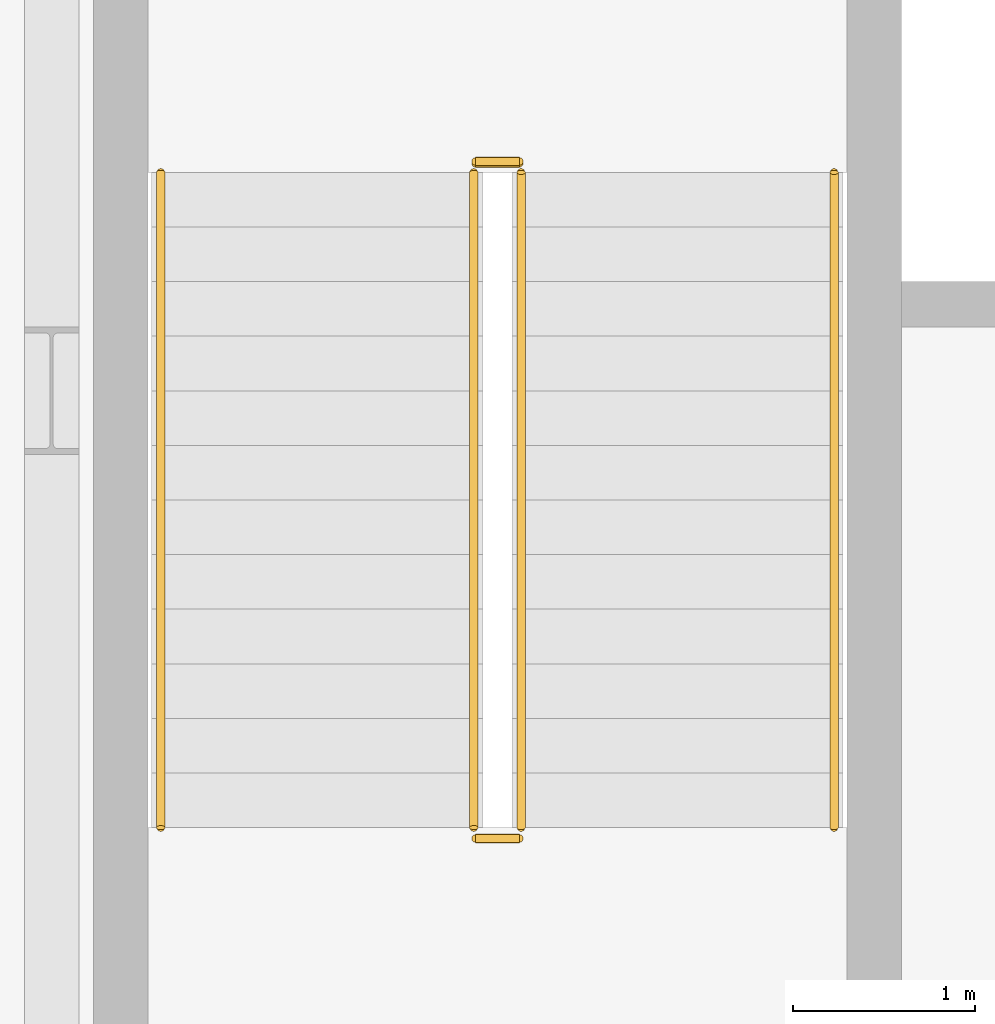
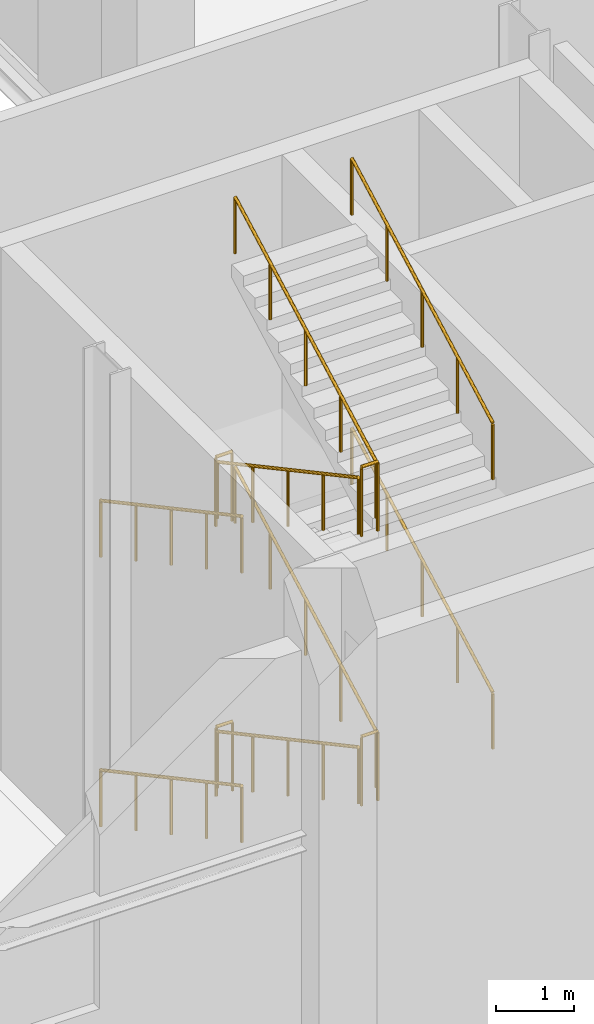
# One storey, part 123 of 131: 12 railings.
"""IFC4 building model written with IfcOpenShell, lengths in metres."""

from ifc_helpers import new_model, si_unit, direction, frame, origin, origin_2d, place, context, subcontext, project, spatial, circle, extrude, material, type_object, element, save


model = new_model("IFC4")

# Units and contexts
model_context = context("Model", 3, precision=1e-05, world=origin(), true_north=direction((0.0, 1.0)))
body_context = subcontext(model_context, "Body", "Model", "MODEL_VIEW")
ifc_project = project(units=[si_unit("LENGTHUNIT", "METRE"), si_unit("AREAUNIT", "SQUARE_METRE"), si_unit("VOLUMEUNIT", "CUBIC_METRE"), si_unit("PLANEANGLEUNIT", "RADIAN"), si_unit("MASSUNIT", "GRAM", prefix="KILO")], contexts=[model_context])

# Site, building, storey
site_placement = place(None, origin())
site = spatial("IfcSite", under=ifc_project, at=site_placement, CompositionType="ELEMENT")
building_placement = place(site_placement, origin())
building = spatial("IfcBuilding", under=site, at=building_placement, Name="Veltarok Museum of Natural Sciences", CompositionType="ELEMENT")
storey_placement = place(building_placement, origin())
storey = spatial("IfcBuildingStorey", under=building, at=storey_placement, Name="L00", CompositionType="ELEMENT", Elevation=0.0)

# Railings
ifc_material = material(Name="Steel S355J2", Category="steel")
railing_type_1 = type_object("IfcRailingType", Name="Interior Atrium and Stairwell Guardrail 1100", PredefinedType="GUARDRAIL", material=ifc_material)
for number, where, name in (
    (1, (33.929931640625, 6.949951171875, 0.0), "Stairwell Floor Guard ST-01 L00"),
    (2, (33.929931640625, 3.239990234375, 2.10009765625), "Landing Well Guard ST-01-L00-L1"),
    (3, (33.929931640625, 6.9599609375, 4.199951171875), "Landing Well Guard ST-01-L00-L2"),
    (4, (33.929931640625, 3.239990234375, 6.300048828125), "Landing Well Guard ST-01-L00-L3"),
):
    element("IfcRailing", number, at=place(storey_placement, frame(where)), inside=storey, type_object=railing_type_1, Name=name, PredefinedType="GUARDRAIL", context=body_context, shape_type="SweptSolid", body=[
        extrude(circle(Radius=0.02392578125, at=origin_2d()), frame((0.0, 0.0, 1.076171875), z_axis=(1.0, 0.0, 0.0), x_axis=(0.0, 1.0, 0.0)), (0.0, 0.0, 1.0), 0.239990234375),
        extrude(circle(Radius=0.02099609375, at=origin_2d()), origin(), (0.0, 0.0, 1.0), 1.052001953125),
        extrude(circle(Radius=0.02099609375, at=origin_2d()), frame((0.239990234375, 0.0, 0.0)), (0.0, 0.0, 1.0), 1.052001953125),
    ])
railing_type_2 = type_object("IfcRailingType", Name="Stair Flight Tubular Steel Handrail 900", PredefinedType="HANDRAIL", material=ifc_material)
for number, where, name in (
    (5, (32.199951171875, 6.89990234375, 0.16162109375), "Stair Handrail ST-01-L00-F1L"),
    (6, (33.919921875, 6.89990234375, 0.16162109375), "Stair Handrail ST-01-L00-F1R"),
):
    element("IfcRailing", number, at=place(storey_placement, frame(where)), inside=storey, type_object=railing_type_2, Name=name, PredefinedType="HANDRAIL", context=body_context, shape_type="SweptSolid", body=[
        extrude(circle(Radius=0.02392578125, at=origin_2d()), frame((0.0, 0.0, 0.8759765625), z_axis=(0.0, -0.880461512865, 0.474117627138), x_axis=(1.0, 0.0, 0.0)), (0.0, 0.0, 1.0), 4.088623046875),
        extrude(circle(Radius=0.02099609375, at=origin_2d()), origin(), (0.0, 0.0, 1.0), 0.851806640625),
        extrude(circle(Radius=0.02099609375, at=origin_2d()), frame((0.0, -0.89990234375, 0.484619140625)), (0.0, 0.0, 1.0), 0.851806640625),
        extrude(circle(Radius=0.02099609375, at=origin_2d()), frame((0.0, -1.7998046875, 0.96923828125)), (0.0, 0.0, 1.0), 0.851806640625),
        extrude(circle(Radius=0.02099609375, at=origin_2d()), frame((0.0, -2.699951171875, 1.453857421875)), (0.0, 0.0, 1.0), 0.851806640625),
        extrude(circle(Radius=0.02099609375, at=origin_2d()), frame((0.0, -3.599853515625, 1.9384765625)), (0.0, 0.0, 1.0), 0.851806640625),
    ])
for number, where, name in (
    (7, (34.179931640625, 3.300048828125, 2.261474609375), "Stair Handrail ST-01-L00-F2L"),
    (8, (35.89990234375, 3.300048828125, 2.261474609375), "Stair Handrail ST-01-L00-F2R"),
):
    element("IfcRailing", number, at=place(storey_placement, frame(where)), inside=storey, type_object=railing_type_2, Name=name, PredefinedType="HANDRAIL", context=body_context, shape_type="SweptSolid", body=[
        extrude(circle(Radius=0.02392578125, at=origin_2d()), frame((0.0, 0.0, 0.8759765625), z_axis=(0.0, 0.880461512865, 0.474117627138), x_axis=(-1.0, 0.0, 0.0)), (0.0, 0.0, 1.0), 4.088623046875),
        extrude(circle(Radius=0.02099609375, at=origin_2d()), origin(), (0.0, 0.0, 1.0), 0.851806640625),
        extrude(circle(Radius=0.02099609375, at=origin_2d()), frame((0.0, 0.89990234375, 0.484619140625)), (0.0, 0.0, 1.0), 0.851806640625),
        extrude(circle(Radius=0.02099609375, at=origin_2d()), frame((0.0, 1.7998046875, 0.96923828125)), (0.0, 0.0, 1.0), 0.851806640625),
        extrude(circle(Radius=0.02099609375, at=origin_2d()), frame((0.0, 2.699951171875, 1.453857421875)), (0.0, 0.0, 1.0), 0.851806640625),
        extrude(circle(Radius=0.02099609375, at=origin_2d()), frame((0.0, 3.599853515625, 1.9384765625)), (0.0, 0.0, 1.0), 0.851806640625),
    ])
for number, where, name in (
    (9, (32.199951171875, 6.89990234375, 4.361572265625), "Stair Handrail ST-01-L00-F3L"),
    (10, (33.919921875, 6.89990234375, 4.361572265625), "Stair Handrail ST-01-L00-F3R"),
):
    element("IfcRailing", number, at=place(storey_placement, frame(where)), inside=storey, type_object=railing_type_2, Name=name, PredefinedType="HANDRAIL", context=body_context, shape_type="SweptSolid", body=[
        extrude(circle(Radius=0.02392578125, at=origin_2d()), frame((0.0, 0.0, 0.8759765625), z_axis=(0.0, -0.880461512865, 0.474117627138), x_axis=(1.0, 0.0, 0.0)), (0.0, 0.0, 1.0), 4.088623046875),
        extrude(circle(Radius=0.02099609375, at=origin_2d()), origin(), (0.0, 0.0, 1.0), 0.851806640625),
        extrude(circle(Radius=0.02099609375, at=origin_2d()), frame((0.0, -0.89990234375, 0.484619140625)), (0.0, 0.0, 1.0), 0.851806640625),
        extrude(circle(Radius=0.02099609375, at=origin_2d()), frame((0.0, -1.7998046875, 0.96923828125)), (0.0, 0.0, 1.0), 0.851806640625),
        extrude(circle(Radius=0.02099609375, at=origin_2d()), frame((0.0, -2.699951171875, 1.453857421875)), (0.0, 0.0, 1.0), 0.851806640625),
        extrude(circle(Radius=0.02099609375, at=origin_2d()), frame((0.0, -3.599853515625, 1.9384765625)), (0.0, 0.0, 1.0), 0.851806640625),
    ])
for number, where, name in (
    (11, (34.179931640625, 3.300048828125, 6.46142578125), "Stair Handrail ST-01-L00-F4L"),
    (12, (35.89990234375, 3.300048828125, 6.46142578125), "Stair Handrail ST-01-L00-F4R"),
):
    element("IfcRailing", number, at=place(storey_placement, frame(where)), inside=storey, type_object=railing_type_2, Name=name, PredefinedType="HANDRAIL", context=body_context, shape_type="SweptSolid", body=[
        extrude(circle(Radius=0.02392578125, at=origin_2d()), frame((0.0, 0.0, 0.8759765625), z_axis=(0.0, 0.880461512865, 0.474117627138), x_axis=(-1.0, 0.0, 0.0)), (0.0, 0.0, 1.0), 4.088623046875),
        extrude(circle(Radius=0.02099609375, at=origin_2d()), origin(), (0.0, 0.0, 1.0), 0.851806640625),
        extrude(circle(Radius=0.02099609375, at=origin_2d()), frame((0.0, 0.89990234375, 0.484619140625)), (0.0, 0.0, 1.0), 0.851806640625),
        extrude(circle(Radius=0.02099609375, at=origin_2d()), frame((0.0, 1.7998046875, 0.96923828125)), (0.0, 0.0, 1.0), 0.851806640625),
        extrude(circle(Radius=0.02099609375, at=origin_2d()), frame((0.0, 2.699951171875, 1.453857421875)), (0.0, 0.0, 1.0), 0.851806640625),
        extrude(circle(Radius=0.02099609375, at=origin_2d()), frame((0.0, 3.599853515625, 1.9384765625)), (0.0, 0.0, 1.0), 0.851806640625),
    ])

save(model, "model.ifc")
